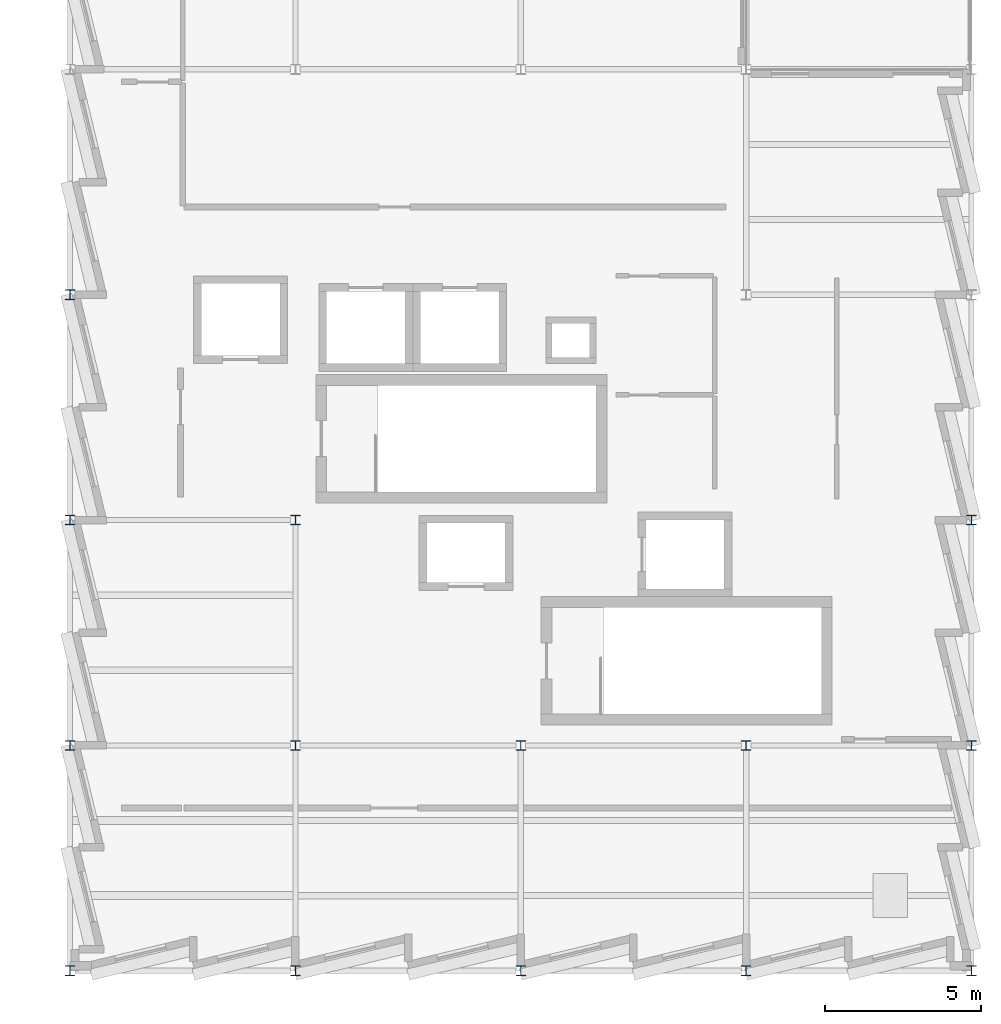
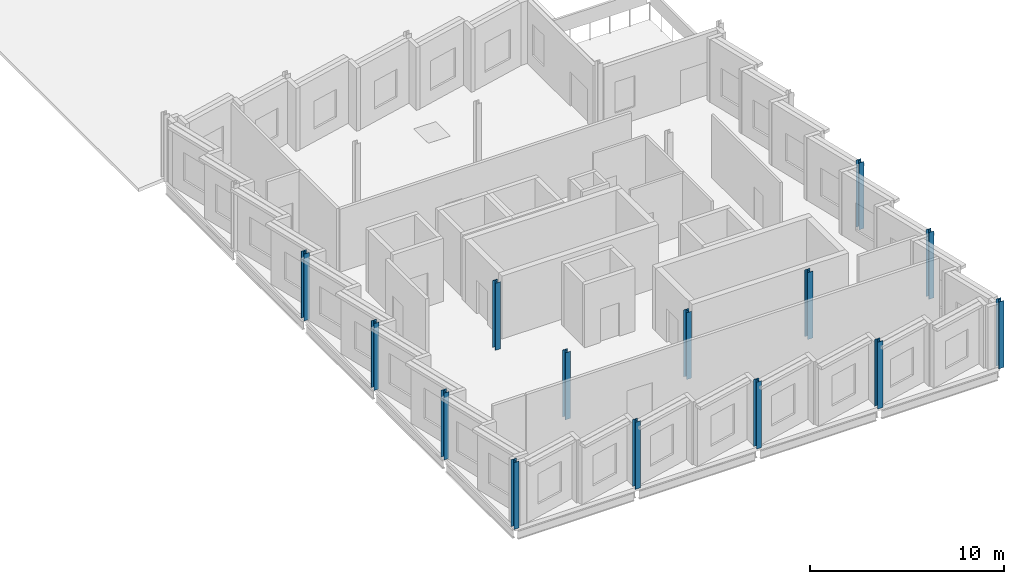
# One storey, part 1 of 9: 14 columns.
"""IFC4 building model written with IfcOpenShell, lengths in metres."""

from ifc_helpers import new_model, si_unit, direction, frame, origin, origin_2d, place, context, subcontext, project, spatial, i_section, extrude, material, material_profile, profile_set, type_object, element, save


model = new_model("IFC4")

# Units and contexts
model_context = context("Model", 3, precision=1e-05, world=origin(), true_north=direction((0.0, 1.0)))
body_context = subcontext(model_context, "Body", "Model", "MODEL_VIEW")
ifc_project = project(units=[si_unit("LENGTHUNIT", "METRE"), si_unit("AREAUNIT", "SQUARE_METRE"), si_unit("VOLUMEUNIT", "CUBIC_METRE"), si_unit("PLANEANGLEUNIT", "RADIAN"), si_unit("MASSUNIT", "GRAM", prefix="KILO")], contexts=[model_context])

# Site, building, storey
site_placement = place(None, origin())
site = spatial("IfcSite", under=ifc_project, at=site_placement, CompositionType="ELEMENT")
building_placement = place(site_placement, origin())
building = spatial("IfcBuilding", under=site, at=building_placement, Name="Kalmorath City Hall", CompositionType="ELEMENT")
storey_placement = place(building_placement, frame((0.0, 0.0, 31.050048828125)))
storey = spatial("IfcBuildingStorey", under=building, at=storey_placement, Name="L07", CompositionType="ELEMENT", Elevation=31.050048828125)

# Columns
ifc_material = material(Name="Steel ASTM A992 Grade 50", Category="steel")
ifc_material_profile = material_profile(ifc_material, i_section(OverallWidth=0.304931640625, OverallDepth=0.30810546875, WebThickness=0.010009765625, FlangeThickness=0.015380859375, FilletRadius=0.014892578125, at=origin_2d()), Name="W12X65")
ifc_profile_set = profile_set([ifc_material_profile], Name="Steel ASTM A992 Grade 50")
column_type = type_object("IfcColumnType", Name="Steel wide-flange column W12X65", PredefinedType="COLUMN", material=ifc_profile_set)
for number, where, z_axis, x_axis, name in (
    (1, (0.0, 0.0, 0.0), (0.0, 0.0, 1.0), (1.0, 0.0, 0.0), "L07 column SC5 (1/1)"),
    (2, (0.0, 7.199951171875, 0.0), (0.0, 0.0, 1.0), (1.0, 0.0, 0.0), "L07 column SC5 (1/2)"),
    (3, (0.0, 14.39990234375, 0.0), (0.0, 0.0, 1.0), (1.0, 0.0, 0.0), "L07 column SC5 (1/3)"),
    (4, (0.0, 21.60009765625, 0.0), (0.0, 0.0, 1.0), (1.0, 0.0, 0.0), "L07 column SC5 (1/4)"),
    (5, (7.199951171875, 0.0, 0.0), (0.0, 0.0, 1.0), (1.0, 0.0, 0.0), "L07 column SC5 (2/1)"),
    (6, (7.199951171875, 7.199951171875, 0.0), (0.0, 0.0, 1.0), (1.0, 0.0, 0.0), "L07 column SC5 (2/2)"),
    (7, (7.199951171875, 14.39990234375, 0.0), (0.0, 0.0, 1.0), (1.0, 0.0, 0.0), "L07 column SC5 (2/3)"),
    (8, (14.39990234375, 0.0, 0.0), (0.0, 0.0, 1.0), (1.0, 0.0, 0.0), "L07 column SC5 (3/1)"),
    (9, (14.39990234375, 7.199951171875, 0.0), (0.0, 0.0, 1.0), (1.0, 0.0, 0.0), "L07 column SC5 (3/2)"),
    (10, (21.60009765625, 0.0, 0.0), (0.0, 0.0, 1.0), (1.0, 0.0, 0.0), "L07 column SC5 (4/1)"),
    (11, (21.60009765625, 7.199951171875, 0.0), (0.0, 0.0, 1.0), (1.0, 0.0, 0.0), "L07 column SC5 (4/2)"),
    (12, (28.800048828125, 0.0, 0.0), (0.0, 0.0, 1.0), (1.0, 0.0, 0.0), "L07 column SC5 (5/1)"),
    (13, (28.800048828125, 7.199951171875, 0.0), (0.0, 0.0, 1.0), (1.0, 0.0, 0.0), "L07 column SC5 (5/2)"),
    (14, (28.800048828125, 14.39990234375, 0.0), (0.0, 0.0, 1.0), (1.0, 0.0, 0.0), "L07 column SC5 (5/3)"),
):
    element("IfcColumn", number, at=place(storey_placement, frame(where, z_axis=z_axis, x_axis=x_axis)), inside=storey, type_object=column_type, Name=name, PredefinedType="COLUMN", context=body_context, shape_type="SweptSolid", body=[
        extrude(i_section(OverallWidth=0.304931640625, OverallDepth=0.30810546875, WebThickness=0.010009765625, FlangeThickness=0.015380859375, FilletRadius=0.014892578125, at=origin_2d()), origin(), (0.0, 0.0, 1.0), 4.199951171875),
    ])

save(model, "model.ifc")
